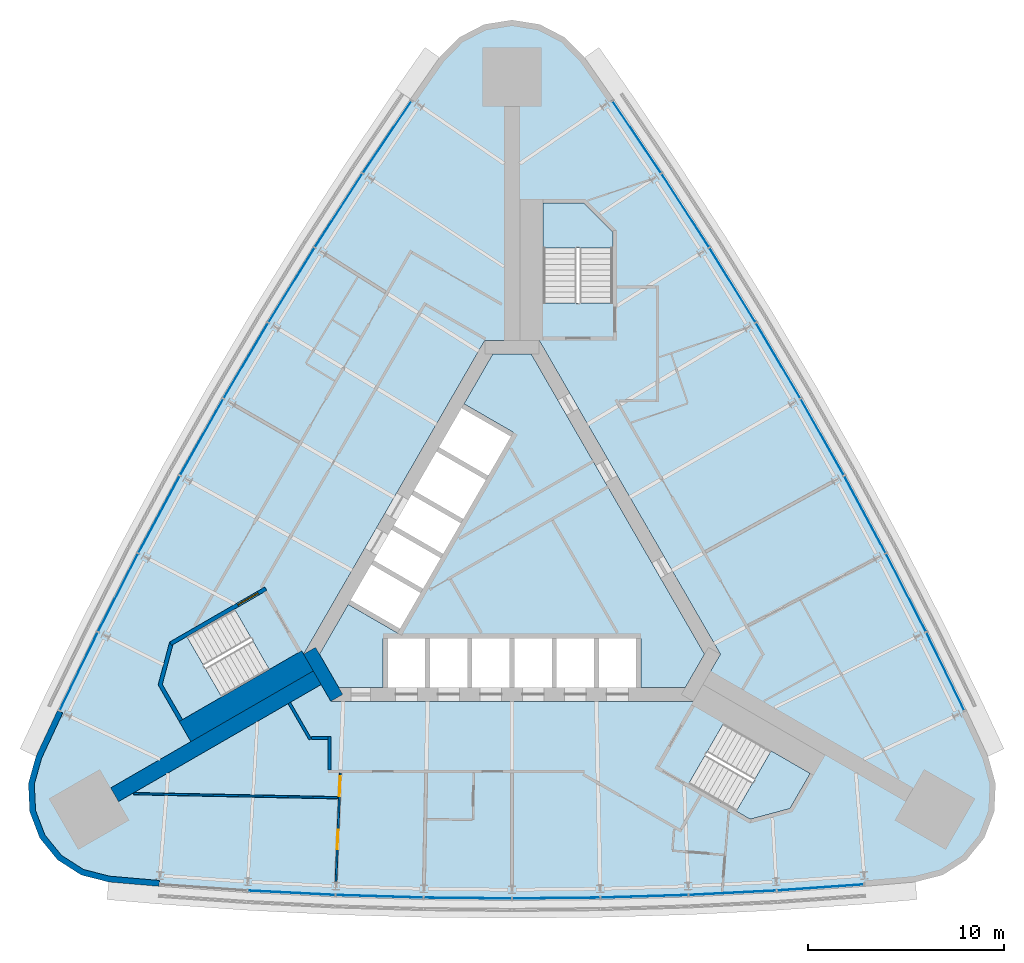
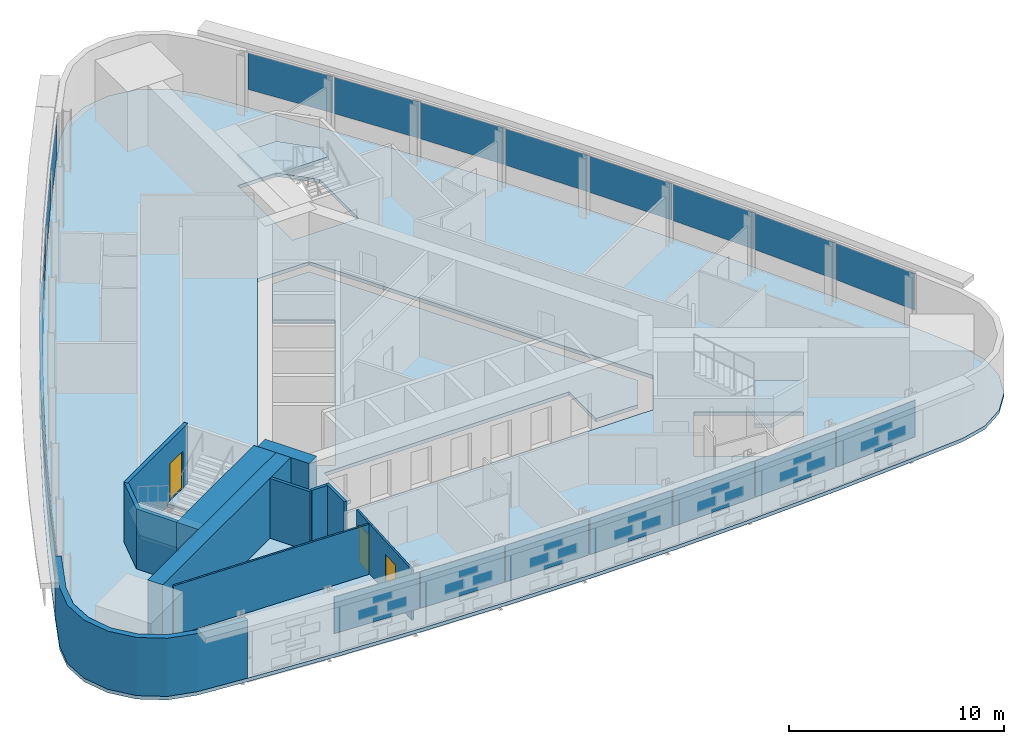
# One storey, part 6 of 11: 23 plates, 11 walls, 5 slabs, 3 doors, 3 openings, 6 elements without a shape of their own.
"""IFC4 building model written with IfcOpenShell, lengths in metres."""

from ifc_helpers import new_model, si_unit, direction, frame, frame_2d, origin, origin_2d, place, context, subcontext, project, spatial, polyline, rectangle, outline, extrude, material, layer, layer_set, type_object, element, fill, aggregate, save


model = new_model("IFC4")

# Units and contexts
model_context = context("Model", 3, precision=1e-05, world=origin(), true_north=direction((0.0, 1.0)))
body_context = subcontext(model_context, "Body", "Model", "MODEL_VIEW")
ifc_project = project(units=[si_unit("LENGTHUNIT", "METRE"), si_unit("AREAUNIT", "SQUARE_METRE"), si_unit("VOLUMEUNIT", "CUBIC_METRE"), si_unit("PLANEANGLEUNIT", "RADIAN"), si_unit("MASSUNIT", "GRAM", prefix="KILO")], contexts=[model_context])

# Site, building, storey
site_placement = place(None, origin())
site = spatial("IfcSite", under=ifc_project, at=site_placement, CompositionType="ELEMENT")
building_placement = place(site_placement, origin())
building = spatial("IfcBuilding", under=site, at=building_placement, Name="Noor Cloister Tower", CompositionType="ELEMENT")
storey_placement = place(building_placement, frame((0.0, 0.0, 113.10009765625)))
storey = spatial("IfcBuildingStorey", under=building, at=storey_placement, Name="L29", CompositionType="ELEMENT", Elevation=113.10009765625)

# Slabs
ifc_material_1 = material(Name="Concrete C40/50", Category="concrete")
ifc_layer_1 = layer(ifc_material_1, 0.199951171875)
ifc_layer_set_1 = layer_set([ifc_layer_1], Name="Core floor slab 200 C40/50")
slab_type_1 = type_object("IfcSlabType", Name="Core floor slab 200 C40/50", PredefinedType="FLOOR", material=ifc_layer_set_1)
slab_1_placement = place(storey_placement, frame((0.0, 0.0, -0.2001953125)))
element("IfcSlab", 1, at=slab_1_placement, inside=storey, type_object=slab_type_1, Name="Core floor L29", PredefinedType="FLOOR", context=body_context, shape_type="SweptSolid", body=[
    extrude(outline(polyline([(-6.574951171875, -6.228271484375), (-6.574951171875, -3.728271484375), (6.574951171875, -3.728271484375), (6.574951171875, -6.228271484375), (8.82470703125, -6.228271484375), (9.80615234375, -4.5283203125), (0.9814453125, 10.75634765625), (-0.9814453125, 10.75634765625), (-2.44384765625, 8.2236328125), (0.067626953125, 6.773681640625), (-5.832275390625, -3.4453125), (-8.34375, -1.995361328125), (-9.80615234375, -4.5283203125), (-8.82470703125, -6.228271484375), (-6.574951171875, -6.228271484375)])), origin(), (0.0, 0.0, 1.0), 0.2001953125),
])
ifc_material_2 = material(Name="Concrete C40/50", Category="concrete")
ifc_layer_2 = layer(ifc_material_2, 0.199951171875)
ifc_layer_set_2 = layer_set([ifc_layer_2], Name="Floor slab 200 C40/50")
slab_type_2 = type_object("IfcSlabType", Name="Floor slab 200 C40/50", PredefinedType="FLOOR", material=ifc_layer_set_2)
slab_2_placement = place(storey_placement, frame((0.0, 0.0, -0.2001953125)))
element("IfcSlab", 2, at=slab_2_placement, inside=storey, type_object=slab_type_2, Name="Floor slab L29", PredefinedType="FLOOR", context=body_context, shape_type="SweptSolid", body=[
    extrude(outline(polyline([(3.694091796875, 25.862548828125), (2.6904296875, 26.8876953125), (1.41650390625, 27.54736328125), (0.0, 27.774658203125), (-1.41650390625, 27.54736328125), (-2.6904296875, 26.8876953125), (-3.694091796875, 25.862548828125), (-5.1708984375, 23.747802734375), (-7.68896484375, 20.018310546875), (-10.131591796875, 16.239013671875), (-12.498046875, 12.41162109375), (-14.786865234375, 8.537353515625), (-16.99755859375, 4.617919921875), (-19.129150390625, 0.65478515625), (-21.180908203125, -3.350341796875), (-23.151611328125, -7.395751953125), (-24.24462890625, -9.732177734375), (-24.630615234375, -11.11376953125), (-24.56494140625, -12.546875), (-24.0537109375, -13.887451171875), (-23.1484375, -15.000244140625), (-21.940185546875, -15.77392578125), (-20.550537109375, -16.13037109375), (-17.980712890625, -16.35205078125), (-13.491943359375, -16.66796875), (-8.99755859375, -16.893798828125), (-4.499755859375, -17.029296875), (0.0, -17.074462890625), (4.499755859375, -17.029296875), (8.99755859375, -16.893798828125), (13.491943359375, -16.66796875), (17.980712890625, -16.35205078125), (20.550537109375, -16.13037109375), (21.940185546875, -15.77392578125), (23.1484375, -15.000244140625), (24.0537109375, -13.887451171875), (24.56494140625, -12.546875), (24.630615234375, -11.11376953125), (24.24462890625, -9.732177734375), (23.151611328125, -7.395751953125), (21.180908203125, -3.350341796875), (19.129150390625, 0.65478515625), (16.99755859375, 4.617919921875), (14.786865234375, 8.537353515625), (12.498046875, 12.41162109375), (10.131591796875, 16.239013671875), (7.68896484375, 20.018310546875), (5.1708984375, 23.747802734375), (3.694091796875, 25.862548828125)]), holes=[polyline([(8.999755859375, -11.126220703125), (12.131591796875, -12.934326171875), (14.1572265625, -12.3916015625), (15.19091796875, -10.601318359375), (10.774658203125, -8.0517578125), (8.999755859375, -11.126220703125)]), polyline([(-17.81005859375, -6.064697265625), (-16.776611328125, -7.85498046875), (-12.3603515625, -5.305419921875), (-14.13525390625, -2.23095703125), (-16.662841796875, -3.690185546875), (-17.267333984375, -4.039306640625), (-17.81005859375, -6.064697265625)]), polyline([(-10.6142578125, -4.5283203125), (-9.228759765625, -6.92822265625), (9.228759765625, -6.92822265625), (10.6142578125, -4.5283203125), (1.3857421875, 11.456298828125), (-1.3857421875, 11.456298828125), (-10.6142578125, -4.5283203125)]), polyline([(3.65283203125, 18.456298828125), (1.585693359375, 18.456298828125), (1.585693359375, 13.35693359375), (5.135498046875, 13.35693359375), (5.135498046875, 16.9736328125), (3.65283203125, 18.456298828125)])]), origin(), (0.0, 0.0, 1.0), 0.2001953125),
])

# Curtain wall, plates
ifc_material_3 = material(Name="Aluminium 6063-T6 anodised", Category="aluminium")
curtain_wall_type = type_object("IfcCurtainWallType", Name="Ribbon curtain wall, lower tower CW1", PredefinedType="NOTDEFINED", material=ifc_material_3)
curtain_wall_1_placement = place(storey_placement, origin())
curtain_wall_1 = element("IfcCurtainWall", 3, at=curtain_wall_1_placement, inside=storey, type_object=curtain_wall_type, Name="CW1 L29 NW run 1", PredefinedType="NOTDEFINED")
ifc_material_4 = material(Name="Clear laminated glass 2 x 8 mm", Category="glass")
ifc_layer_3 = layer(ifc_material_4, 0.028076171875)
ifc_layer_set_3 = layer_set([ifc_layer_3], Name="Glass panel CW1")
plate_type = type_object("IfcPlateType", Name="Glass panel CW1", PredefinedType="CURTAIN_PANEL", material=ifc_layer_set_3)
plate_1_placement = place(storey_placement, frame((-6.35791015625, 21.810791015625, 1.08984375), z_axis=(0.0, 0.0, 1.0), x_axis=(-0.559576269216, -0.828778860089, 0.0)))
plate_1 = element("IfcPlate", 4, at=plate_1_placement, type_object=plate_type, Name="CW1 glass panel 1", PredefinedType="CURTAIN_PANEL", context=body_context, shape_type="SweptSolid", body=[
    extrude(rectangle(XDim=4.39892578125, YDim=0.028076171875, at=origin_2d()), origin(), (0.0, 0.0, 1.0), 2.070068359375),
])
plate_2_placement = place(storey_placement, frame((-8.826416015625, 18.074462890625, 1.08984375), z_axis=(0.0, 0.0, 1.0), x_axis=(-0.542823743887, -0.839846642592, 0.0)))
plate_2 = element("IfcPlate", 5, at=plate_2_placement, type_object=plate_type, Name="CW1 glass panel 2", PredefinedType="CURTAIN_PANEL", context=body_context, shape_type="SweptSolid", body=[
    extrude(rectangle(XDim=4.43798828125, YDim=0.028076171875, at=origin_2d()), origin(), (0.0, 0.0, 1.0), 2.070068359375),
])
plate_3_placement = place(storey_placement, frame((-11.229736328125, 14.272705078125, 1.08984375), z_axis=(0.0, 0.0, 1.0), x_axis=(-0.525852368166, -0.85057585605, 0.0)))
plate_3 = element("IfcPlate", 6, at=plate_3_placement, type_object=plate_type, Name="CW1 glass panel 3", PredefinedType="CURTAIN_PANEL", context=body_context, shape_type="SweptSolid", body=[
    extrude(rectangle(XDim=4.43798828125, YDim=0.028076171875, at=origin_2d()), origin(), (0.0, 0.0, 1.0), 2.070068359375),
])
plate_4_placement = place(storey_placement, frame((-13.556396484375, 10.423583984375, 1.08984375), z_axis=(0.0, 0.0, 1.0), x_axis=(-0.508669013447, -0.860962156404, 0.0)))
plate_4 = element("IfcPlate", 7, at=plate_4_placement, type_object=plate_type, Name="CW1 glass panel 4", PredefinedType="CURTAIN_PANEL", context=body_context, shape_type="SweptSolid", body=[
    extrude(rectangle(XDim=4.43798828125, YDim=0.028076171875, at=origin_2d()), origin(), (0.0, 0.0, 1.0), 2.070068359375),
])
plate_5_placement = place(storey_placement, frame((-15.80517578125, 6.5283203125, 1.08984375), z_axis=(0.0, 0.0, 1.0), x_axis=(-0.491280592419, -0.871001365965, 0.0)))
plate_5 = element("IfcPlate", 8, at=plate_5_placement, type_object=plate_type, Name="CW1 glass panel 5", PredefinedType="CURTAIN_PANEL", context=body_context, shape_type="SweptSolid", body=[
    extrude(rectangle(XDim=4.43798828125, YDim=0.028076171875, at=origin_2d()), origin(), (0.0, 0.0, 1.0), 2.070068359375),
])
plate_6_placement = place(storey_placement, frame((-17.975341796875, 2.5888671875, 1.08984375), z_axis=(0.0, 0.0, 1.0), x_axis=(-0.473694115102, -0.880689437497, 0.0)))
plate_6 = element("IfcPlate", 9, at=plate_6_placement, type_object=plate_type, Name="CW1 glass panel 6", PredefinedType="CURTAIN_PANEL", context=body_context, shape_type="SweptSolid", body=[
    extrude(rectangle(XDim=4.43798828125, YDim=0.028076171875, at=origin_2d()), origin(), (0.0, 0.0, 1.0), 2.070068359375),
])
plate_7_placement = place(storey_placement, frame((-20.066162109375, -1.393310546875, 1.08984375), z_axis=(0.0, 0.0, 1.0), x_axis=(-0.455916655824, -0.890022473279, 0.0)))
plate_7 = element("IfcPlate", 10, at=plate_7_placement, type_object=plate_type, Name="CW1 glass panel 7", PredefinedType="CURTAIN_PANEL", context=body_context, shape_type="SweptSolid", body=[
    extrude(rectangle(XDim=4.43798828125, YDim=0.028076171875, at=origin_2d()), origin(), (0.0, 0.0, 1.0), 2.070068359375),
])
plate_8_placement = place(storey_placement, frame((-22.06787109375, -5.399169921875, 1.08984375), z_axis=(0.0, 0.0, 1.0), x_axis=(-0.437955412348, -0.89899669454, 0.0)))
plate_8 = element("IfcPlate", 11, at=plate_8_placement, type_object=plate_type, Name="CW1 glass panel 8", PredefinedType="CURTAIN_PANEL", context=body_context, shape_type="SweptSolid", body=[
    extrude(rectangle(XDim=4.39892578125, YDim=0.028076171875, at=origin_2d()), origin(), (0.0, 0.0, 1.0), 2.070068359375),
])
aggregate(curtain_wall_1, [plate_1, plate_2, plate_3, plate_4, plate_5, plate_6, plate_7, plate_8])

curtain_wall_2_placement = place(storey_placement, origin())
curtain_wall_2 = element("IfcCurtainWall", 12, at=curtain_wall_2_placement, inside=storey, type_object=curtain_wall_type, Name="CW1 L29 S run 2", PredefinedType="NOTDEFINED")
plate_9_placement = place(storey_placement, frame((-11.23974609375, -16.68115234375, 1.08984375), z_axis=(0.0, 0.0, 1.0), x_axis=(0.998740399711, -0.050175830687, 0.0)))
plate_9 = element("IfcPlate", 13, at=plate_9_placement, type_object=plate_type, Name="CW1 glass panel 2", PredefinedType="CURTAIN_PANEL", context=body_context, shape_type="SweptSolid", body=[
    extrude(rectangle(XDim=4.43798828125, YDim=0.028076171875, at=origin_2d()), origin(), (0.0, 0.0, 1.0), 2.070068359375),
])
plate_10_placement = place(storey_placement, frame((-6.74560546875, -16.861572265625, 1.08984375), z_axis=(0.0, 0.0, 1.0), x_axis=(0.999546483268, -0.030113581447, 0.0)))
plate_10 = element("IfcPlate", 14, at=plate_10_placement, type_object=plate_type, Name="CW1 glass panel 3", PredefinedType="CURTAIN_PANEL", context=body_context, shape_type="SweptSolid", body=[
    extrude(rectangle(XDim=4.43798828125, YDim=0.028076171875, at=origin_2d()), origin(), (0.0, 0.0, 1.0), 2.070068359375),
])
plate_11_placement = place(storey_placement, frame((-2.248779296875, -16.951904296875, 1.08984375), z_axis=(0.0, 0.0, 1.0), x_axis=(0.999949605866, -0.010039209561, 0.0)))
plate_11 = element("IfcPlate", 15, at=plate_11_placement, type_object=plate_type, Name="CW1 glass panel 4", PredefinedType="CURTAIN_PANEL", context=body_context, shape_type="SweptSolid", body=[
    extrude(rectangle(XDim=4.43798828125, YDim=0.028076171875, at=origin_2d()), origin(), (0.0, 0.0, 1.0), 2.070068359375),
])
plate_12_placement = place(storey_placement, frame((2.248779296875, -16.951904296875, 1.08984375), z_axis=(0.0, 0.0, 1.0), x_axis=(0.999949605866, 0.010039209561, 0.0)))
plate_12 = element("IfcPlate", 16, at=plate_12_placement, type_object=plate_type, Name="CW1 glass panel 5", PredefinedType="CURTAIN_PANEL", context=body_context, shape_type="SweptSolid", body=[
    extrude(rectangle(XDim=4.43798828125, YDim=0.028076171875, at=origin_2d()), origin(), (0.0, 0.0, 1.0), 2.070068359375),
])
plate_13_placement = place(storey_placement, frame((6.74560546875, -16.861572265625, 1.08984375), z_axis=(0.0, 0.0, 1.0), x_axis=(0.999546483268, 0.030113581447, 0.0)))
plate_13 = element("IfcPlate", 17, at=plate_13_placement, type_object=plate_type, Name="CW1 glass panel 6", PredefinedType="CURTAIN_PANEL", context=body_context, shape_type="SweptSolid", body=[
    extrude(rectangle(XDim=4.43798828125, YDim=0.028076171875, at=origin_2d()), origin(), (0.0, 0.0, 1.0), 2.070068359375),
])
plate_14_placement = place(storey_placement, frame((11.23974609375, -16.68115234375, 1.08984375), z_axis=(0.0, 0.0, 1.0), x_axis=(0.998740399711, 0.050175830687, 0.0)))
plate_14 = element("IfcPlate", 18, at=plate_14_placement, type_object=plate_type, Name="CW1 glass panel 7", PredefinedType="CURTAIN_PANEL", context=body_context, shape_type="SweptSolid", body=[
    extrude(rectangle(XDim=4.43798828125, YDim=0.028076171875, at=origin_2d()), origin(), (0.0, 0.0, 1.0), 2.070068359375),
])
plate_15_placement = place(storey_placement, frame((15.709716796875, -16.41162109375, 1.08984375), z_axis=(0.0, 0.0, 1.0), x_axis=(0.997531681565, 0.070217834452, 0.0)))
plate_15 = element("IfcPlate", 19, at=plate_15_placement, type_object=plate_type, Name="CW1 glass panel 8", PredefinedType="CURTAIN_PANEL", context=body_context, shape_type="SweptSolid", body=[
    extrude(rectangle(XDim=4.39892578125, YDim=0.028076171875, at=origin_2d()), origin(), (0.0, 0.0, 1.0), 2.070068359375),
])
aggregate(curtain_wall_2, [plate_9, plate_10, plate_11, plate_12, plate_13, plate_14, plate_15])

curtain_wall_3_placement = place(storey_placement, origin())
curtain_wall_3 = element("IfcCurtainWall", 20, at=curtain_wall_3_placement, inside=storey, type_object=curtain_wall_type, Name="CW1 L29 NE run 3", PredefinedType="NOTDEFINED")
plate_16_placement = place(storey_placement, frame((22.06787109375, -5.399169921875, 1.08984375), z_axis=(0.0, 0.0, 1.0), x_axis=(-0.437955412348, 0.89899669454, 0.0)))
plate_16 = element("IfcPlate", 21, at=plate_16_placement, type_object=plate_type, Name="CW1 glass panel 1", PredefinedType="CURTAIN_PANEL", context=body_context, shape_type="SweptSolid", body=[
    extrude(rectangle(XDim=4.39892578125, YDim=0.028076171875, at=origin_2d()), origin(), (0.0, 0.0, 1.0), 2.070068359375),
])
plate_17_placement = place(storey_placement, frame((20.066162109375, -1.393310546875, 1.08984375), z_axis=(0.0, 0.0, 1.0), x_axis=(-0.455916655824, 0.890022473279, 0.0)))
plate_17 = element("IfcPlate", 22, at=plate_17_placement, type_object=plate_type, Name="CW1 glass panel 2", PredefinedType="CURTAIN_PANEL", context=body_context, shape_type="SweptSolid", body=[
    extrude(rectangle(XDim=4.43798828125, YDim=0.028076171875, at=origin_2d()), origin(), (0.0, 0.0, 1.0), 2.070068359375),
])
plate_18_placement = place(storey_placement, frame((17.975341796875, 2.5888671875, 1.08984375), z_axis=(0.0, 0.0, 1.0), x_axis=(-0.473694115102, 0.880689437497, 0.0)))
plate_18 = element("IfcPlate", 23, at=plate_18_placement, type_object=plate_type, Name="CW1 glass panel 3", PredefinedType="CURTAIN_PANEL", context=body_context, shape_type="SweptSolid", body=[
    extrude(rectangle(XDim=4.43798828125, YDim=0.028076171875, at=origin_2d()), origin(), (0.0, 0.0, 1.0), 2.070068359375),
])
plate_19_placement = place(storey_placement, frame((15.80517578125, 6.5283203125, 1.08984375), z_axis=(0.0, 0.0, 1.0), x_axis=(-0.491280592419, 0.871001365965, 0.0)))
plate_19 = element("IfcPlate", 24, at=plate_19_placement, type_object=plate_type, Name="CW1 glass panel 4", PredefinedType="CURTAIN_PANEL", context=body_context, shape_type="SweptSolid", body=[
    extrude(rectangle(XDim=4.43798828125, YDim=0.028076171875, at=origin_2d()), origin(), (0.0, 0.0, 1.0), 2.070068359375),
])
plate_20_placement = place(storey_placement, frame((13.556396484375, 10.423583984375, 1.08984375), z_axis=(0.0, 0.0, 1.0), x_axis=(-0.508669013447, 0.860962156404, 0.0)))
plate_20 = element("IfcPlate", 25, at=plate_20_placement, type_object=plate_type, Name="CW1 glass panel 5", PredefinedType="CURTAIN_PANEL", context=body_context, shape_type="SweptSolid", body=[
    extrude(rectangle(XDim=4.43798828125, YDim=0.028076171875, at=origin_2d()), origin(), (0.0, 0.0, 1.0), 2.070068359375),
])
plate_21_placement = place(storey_placement, frame((11.229736328125, 14.272705078125, 1.08984375), z_axis=(0.0, 0.0, 1.0), x_axis=(-0.525852368166, 0.85057585605, 0.0)))
plate_21 = element("IfcPlate", 26, at=plate_21_placement, type_object=plate_type, Name="CW1 glass panel 6", PredefinedType="CURTAIN_PANEL", context=body_context, shape_type="SweptSolid", body=[
    extrude(rectangle(XDim=4.43798828125, YDim=0.028076171875, at=origin_2d()), origin(), (0.0, 0.0, 1.0), 2.070068359375),
])
plate_22_placement = place(storey_placement, frame((8.826416015625, 18.074462890625, 1.08984375), z_axis=(0.0, 0.0, 1.0), x_axis=(-0.542823743887, 0.839846642592, 0.0)))
plate_22 = element("IfcPlate", 27, at=plate_22_placement, type_object=plate_type, Name="CW1 glass panel 7", PredefinedType="CURTAIN_PANEL", context=body_context, shape_type="SweptSolid", body=[
    extrude(rectangle(XDim=4.43798828125, YDim=0.028076171875, at=origin_2d()), origin(), (0.0, 0.0, 1.0), 2.070068359375),
])
plate_23_placement = place(storey_placement, frame((6.35791015625, 21.810791015625, 1.08984375), z_axis=(0.0, 0.0, 1.0), x_axis=(-0.559576269216, 0.828778860089, 0.0)))
plate_23 = element("IfcPlate", 28, at=plate_23_placement, type_object=plate_type, Name="CW1 glass panel 8", PredefinedType="CURTAIN_PANEL", context=body_context, shape_type="SweptSolid", body=[
    extrude(rectangle(XDim=4.39892578125, YDim=0.028076171875, at=origin_2d()), origin(), (0.0, 0.0, 1.0), 2.070068359375),
])
aggregate(curtain_wall_3, [plate_16, plate_17, plate_18, plate_19, plate_20, plate_21, plate_22, plate_23])

# Stair, slab
ifc_material_5 = material(Name="Concrete C40/50", Category="concrete")
stair_type = type_object("IfcStairType", Name="Exit stair 22 risers", PredefinedType="HALF_TURN_STAIR", material=ifc_material_5)
stair_1_placement = place(storey_placement, origin())
stair_1 = element("IfcStair", 29, at=stair_1_placement, inside=storey, type_object=stair_type, Name="Exit stair ST1 L29", PredefinedType="HALF_TURN_STAIR")
ifc_material_6 = material(Name="Concrete C40/50", Category="concrete")
ifc_layer_4 = layer(ifc_material_6, 0.199951171875)
ifc_layer_set_4 = layer_set([ifc_layer_4], Name="Stair landing 200 C40/50")
slab_type_3 = type_object("IfcSlabType", Name="Stair landing 200 C40/50", PredefinedType="LANDING", material=ifc_layer_set_4)
slab_3_placement = place(storey_placement, frame((0.0, 0.0, 1.599853515625)))
slab_3 = element("IfcSlab", 30, at=slab_3_placement, type_object=slab_type_3, Name="ST1 landing 1", PredefinedType="LANDING", context=body_context, shape_type="SweptSolid", body=[
    extrude(outline(polyline([(5.135498046875, 16.15576171875), (5.135498046875, 16.9736328125), (3.65283203125, 18.456298828125), (1.585693359375, 18.456298828125), (1.585693359375, 16.15576171875), (5.135498046875, 16.15576171875)])), origin(), (0.0, 0.0, 1.0), 0.199951171875),
])
aggregate(stair_1, [slab_3])

stair_2_placement = place(storey_placement, origin())
stair_2 = element("IfcStair", 31, at=stair_2_placement, inside=storey, type_object=stair_type, Name="Exit stair ST2 L29", PredefinedType="HALF_TURN_STAIR")
slab_4_placement = place(storey_placement, frame((0.0, 0.0, 1.599853515625)))
slab_4 = element("IfcSlab", 32, at=slab_4_placement, type_object=slab_type_3, Name="ST2 landing 1", PredefinedType="LANDING", context=body_context, shape_type="SweptSolid", body=[
    extrude(outline(polyline([(-16.55908203125, -3.63037109375), (-17.267333984375, -4.039306640625), (-17.81005859375, -6.064697265625), (-16.776611328125, -7.85498046875), (-14.7841796875, -6.70458984375), (-16.55908203125, -3.63037109375)])), origin(), (0.0, 0.0, 1.0), 0.199951171875),
])
aggregate(stair_2, [slab_4])

stair_3_placement = place(storey_placement, origin())
stair_3 = element("IfcStair", 33, at=stair_3_placement, inside=storey, type_object=stair_type, Name="Exit stair ST3 L29", PredefinedType="HALF_TURN_STAIR")
slab_5_placement = place(storey_placement, frame((0.0, 0.0, 1.599853515625)))
slab_5 = element("IfcSlab", 34, at=slab_5_placement, type_object=slab_type_3, Name="ST3 landing 1", PredefinedType="LANDING", context=body_context, shape_type="SweptSolid", body=[
    extrude(outline(polyline([(11.423583984375, -12.525390625), (12.131591796875, -12.934326171875), (14.1572265625, -12.3916015625), (15.19091796875, -10.601318359375), (13.198486328125, -9.451171875), (11.423583984375, -12.525390625)])), origin(), (0.0, 0.0, 1.0), 0.199951171875),
])
aggregate(stair_3, [slab_5])

# Walls
ifc_material_7 = material(Name="Concrete C80/95", Category="concrete")
ifc_layer_5 = layer(ifc_material_7, 0.800048828125)
ifc_layer_set_5 = layer_set([ifc_layer_5], Name="Buttress wall 800 C80/95")
wall_type_1 = type_object("IfcWallType", Name="Buttress wall 800 C80/95", PredefinedType="SHEAR", material=ifc_layer_set_5)
wall_1_placement = place(storey_placement, frame((-9.921630859375, -5.728271484375, -0.2001953125), z_axis=(0.0, 0.0, 1.0), x_axis=(-0.866027307971, -0.499996701837, 0.0)))
element("IfcWall", 35, at=wall_1_placement, inside=storey, type_object=wall_type_1, Name="Buttress wall SW L29", PredefinedType="SHEAR", context=body_context, shape_type="SweptSolid", body=[
    extrude(rectangle(XDim=11.91845703125, YDim=0.800048828125, at=frame_2d((5.959228515625, 0.0))), origin(), (0.0, 0.0, 1.0), 3.60009765625),
])
ifc_material_8 = material(Name="Concrete C80/95", Category="concrete")
ifc_layer_6 = layer(ifc_material_8, 0.699951171875)
ifc_layer_set_6 = layer_set([ifc_layer_6], Name="Core wall 700 C80/95")
wall_type_2 = type_object("IfcWallType", Name="Core wall 700 C80/95", PredefinedType="SHEAR", material=ifc_layer_set_6)
wall_2_placement = place(storey_placement, frame((-10.311279296875, -4.353271484375, -0.2001953125), z_axis=(0.0, 0.0, 1.0), x_axis=(0.500042739161, -0.866000726912, 0.0)))
element("IfcWall", 36, at=wall_2_placement, inside=storey, type_object=wall_type_2, Name="Core wall L29 6", PredefinedType="SHEAR", context=body_context, shape_type="SweptSolid", body=[
    extrude(rectangle(XDim=2.771240234375, YDim=0.699951171875, at=frame_2d((1.3857421875, 0.0))), origin(), (0.0, 0.0, 1.0), 3.60009765625),
])
ifc_material_9 = material(Name="Gypsum board partition on steel studs, 150 mm", Category="steel")
ifc_layer_7 = layer(ifc_material_9, 0.14990234375)
ifc_layer_set_7 = layer_set([ifc_layer_7], Name="Flat wall 150")
wall_type_3 = type_object("IfcWallType", Name="Flat wall 150", PredefinedType="PARTITIONING", material=ifc_layer_set_7)
wall_3_placement = place(storey_placement, frame((-11.34521484375, -7.01220703125, 0.0), z_axis=(0.0, 0.0, 1.0), x_axis=(0.499998569178, -0.866026229868, 0.0)))
element("IfcWall", 37, at=wall_3_placement, inside=storey, type_object=wall_type_3, Name="Flat wall 150 L29 011", PredefinedType="PARTITIONING", context=body_context, shape_type="SweptSolid", body=[
    extrude(rectangle(XDim=2.14306640625, YDim=0.14990234375, at=frame_2d((1.071533203125, 0.0))), origin(), (0.0, 0.0, 1.0), 3.39990234375),
])
wall_4_placement = place(storey_placement, frame((-9.3037109375, -10.42822265625, 0.0), z_axis=(0.0, 0.0, 1.0), x_axis=(0.0, 1.0, 0.0)))
element("IfcWall", 38, at=wall_4_placement, inside=storey, type_object=wall_type_3, Name="Flat wall 150 L29 014", PredefinedType="PARTITIONING", context=body_context, shape_type="SweptSolid", body=[
    extrude(rectangle(XDim=1.699951171875, YDim=0.14990234375, at=frame_2d((0.85009765625, 0.0))), origin(), (0.0, 0.0, 1.0), 3.39990234375),
])
wall_5_placement = place(storey_placement, frame((-10.208740234375, -8.80322265625, 0.0), z_axis=(0.0, 0.0, 1.0), x_axis=(1.0, 0.0, 0.0)))
element("IfcWall", 39, at=wall_5_placement, inside=storey, type_object=wall_type_3, Name="Flat wall 150 L29 015", PredefinedType="PARTITIONING", context=body_context, shape_type="SweptSolid", body=[
    extrude(rectangle(XDim=0.830078125, YDim=0.14990234375, at=frame_2d((0.4150390625, 0.0))), origin(), (0.0, 0.0, 1.0), 3.39990234375),
])
ifc_material_10 = material(Name="Limestone", Category="masonry")
ifc_layer_8 = layer(ifc_material_10, 0.300048828125)
ifc_layer_set_8 = layer_set([ifc_layer_8], Name="Limestone cladding 300")
wall_type_4 = type_object("IfcWallType", Name="Limestone cladding 300", PredefinedType="NOTDEFINED", material=ifc_layer_set_8)
wall_6_placement = place(storey_placement, origin())
element("IfcWall", 40, at=wall_6_placement, inside=storey, type_object=wall_type_4, Name="Limestone pier cladding L29 1.1", PredefinedType="NOTDEFINED", context=body_context, shape_type="SweptSolid", body=[
    extrude(outline(polyline([(-23.151611328125, -7.395751953125), (-24.24462890625, -9.732177734375), (-24.630615234375, -11.11376953125), (-24.56494140625, -12.546875), (-24.0537109375, -13.887451171875), (-23.1484375, -15.000244140625), (-21.940185546875, -15.77392578125), (-20.550537109375, -16.13037109375), (-17.980712890625, -16.35205078125), (-17.954833984375, -16.05322265625), (-20.5, -15.83349609375), (-21.819091796875, -15.495361328125), (-22.946044921875, -14.773681640625), (-23.79052734375, -13.7353515625), (-24.267333984375, -12.485107421875), (-24.328857421875, -11.148193359375), (-23.96240234375, -9.8369140625), (-22.8798828125, -7.522705078125), (-23.151611328125, -7.395751953125)])), origin(), (0.0, 0.0, 1.0), 3.2998046875),
])
ifc_material_11 = material(Name="Gypsum board partition on steel studs, 100 mm", Category="steel")
ifc_layer_9 = layer(ifc_material_11, 0.10009765625)
ifc_layer_set_9 = layer_set([ifc_layer_9], Name="Partition 100")
wall_type_5 = type_object("IfcWallType", Name="Partition 100", PredefinedType="PARTITIONING", material=ifc_layer_set_9)
wall_7_placement = place(storey_placement, frame((-8.885009765625, -11.83935546875, 0.0), z_axis=(0.0, 0.0, 1.0), x_axis=(-0.999798608679, 0.020068434987, 0.0)))
element("IfcWall", 41, at=wall_7_placement, inside=storey, type_object=wall_type_5, Name="Partition 100 L29 022", PredefinedType="PARTITIONING", context=body_context, shape_type="SweptSolid", body=[
    extrude(rectangle(XDim=10.377197265625, YDim=0.10009765625, at=frame_2d((5.1884765625, 0.0))), origin(), (0.0, 0.0, 1.0), 2.846923828125),
])

# Wall, openings, doors
wall_8_placement = place(storey_placement, frame((-8.965576171875, -16.094482421875, 0.0), z_axis=(0.0, 0.0, 1.0), x_axis=(0.040167671745, 0.999192953411, 0.0)))
wall_8 = element("IfcWall", 42, at=wall_8_placement, inside=storey, type_object=wall_type_5, Name="Partition 100 L29 024", PredefinedType="PARTITIONING", context=body_context, shape_type="SweptSolid", body=[
    extrude(rectangle(XDim=5.518798828125, YDim=0.10009765625, at=frame_2d((2.75927734375, 0.0))), origin(), (0.0, 0.0, 1.0), 2.846923828125),
])
opening_1_placement = place(wall_8_placement, frame((4.34521484375, 0.0, 0.0)))
opening_1 = element("IfcOpeningElement", 43, at=opening_1_placement, cuts=wall_8, Name="Opening L29-015", PredefinedType="OPENING", context=body_context, shape_type="SweptSolid", body=[
    extrude(rectangle(XDim=1.0, YDim=2.10009765625, at=frame_2d((0.5, 1.050048828125))), frame((0.0, 0.06005859375, 0.0), z_axis=(0.0, -1.0, 0.0), x_axis=(1.0, 0.0, 0.0)), (0.0, 0.0, 1.0), 0.1201171875),
])
opening_2_placement = place(wall_8_placement, frame((1.634033203125, 0.0, 0.0)))
opening_2 = element("IfcOpeningElement", 44, at=opening_2_placement, cuts=wall_8, Name="Opening L29-016", PredefinedType="OPENING", context=body_context, shape_type="SweptSolid", body=[
    extrude(rectangle(XDim=1.0, YDim=2.10009765625, at=frame_2d((0.5, 1.050048828125))), frame((0.0, 0.06005859375, 0.0), z_axis=(0.0, -1.0, 0.0), x_axis=(1.0, 0.0, 0.0)), (0.0, 0.0, 1.0), 0.1201171875),
])
ifc_material_12 = material(Name="Timber door leaf with steel frame", Category="steel")
door_type_1 = type_object("IfcDoorType", Name="Interior door 1000", OperationType="NOTDEFINED", PredefinedType="DOOR", material=ifc_material_12)
door_1_placement = place(opening_1_placement, origin())
door_1 = element("IfcDoor", 45, at=door_1_placement, inside=storey, type_object=door_type_1, Name="Interior door 1000 L29-015", OperationType="SINGLE_SWING_RIGHT", OverallHeight=2.10009765625, OverallWidth=1.0, PredefinedType="DOOR", context=body_context, shape_type="SweptSolid", body=[
    extrude(rectangle(XDim=1.0, YDim=2.10009765625, at=frame_2d((0.5, 1.050048828125))), frame((0.0, 0.02490234375, 0.0), z_axis=(0.0, -1.0, 0.0), x_axis=(1.0, 0.0, 0.0)), (0.0, 0.0, 1.0), 0.050048828125),
])
fill(opening_1, door_1)
door_2_placement = place(opening_2_placement, origin())
door_2 = element("IfcDoor", 46, at=door_2_placement, inside=storey, type_object=door_type_1, Name="Interior door 1000 L29-016", OperationType="SINGLE_SWING_LEFT", OverallHeight=2.10009765625, OverallWidth=1.0, PredefinedType="DOOR", context=body_context, shape_type="SweptSolid", body=[
    extrude(rectangle(XDim=1.0, YDim=2.10009765625, at=frame_2d((0.5, 1.050048828125))), frame((0.0, 0.02490234375, 0.0), z_axis=(0.0, -1.0, 0.0), x_axis=(1.0, 0.0, 0.0)), (0.0, 0.0, 1.0), 0.050048828125),
])
fill(opening_2, door_2)

# Wall
ifc_material_13 = material(Name="Concrete C80/95", Category="concrete")
ifc_layer_10 = layer(ifc_material_13, 1.18603515625)
ifc_layer_set_10 = layer_set([ifc_layer_10], Name="Stair enclosure wall 1186 C80/95")
wall_type_6 = type_object("IfcWallType", Name="Stair enclosure wall 1186 C80/95", PredefinedType="SHEAR", material=ifc_layer_set_10)
wall_9_placement = place(storey_placement, frame((-10.41796875, -4.868408203125, -0.2001953125), z_axis=(0.0, 0.0, 1.0), x_axis=(-0.866018442252, -0.500012057535, 0.0)))
element("IfcWall", 47, at=wall_9_placement, inside=storey, type_object=wall_type_6, Name="Stair enclosure wall ST2 L29 riser side", PredefinedType="SHEAR", context=body_context, shape_type="SweptSolid", body=[
    extrude(rectangle(XDim=7.199951171875, YDim=1.185546875, at=frame_2d((3.60009765625, 0.0))), origin(), (0.0, 0.0, 1.0), 3.60009765625),
])

# Wall, opening, door
ifc_material_14 = material(Name="Concrete C80/95", Category="concrete")
ifc_layer_11 = layer(ifc_material_14, 0.199951171875)
ifc_layer_set_11 = layer_set([ifc_layer_11], Name="Stair enclosure wall 200 C80/95")
wall_type_7 = type_object("IfcWallType", Name="Stair enclosure wall 200 C80/95", PredefinedType="SHEAR", material=ifc_layer_set_11)
wall_10_placement = place(storey_placement, frame((-12.539306640625, -1.194091796875, -0.2001953125), z_axis=(0.0, 0.0, 1.0), x_axis=(-0.866045472092, -0.499965239061, 0.0)))
wall_10 = element("IfcWall", 48, at=wall_10_placement, inside=storey, type_object=wall_type_7, Name="Stair enclosure wall ST2 L29 outer side", PredefinedType="SHEAR", context=body_context, shape_type="SweptSolid", body=[
    extrude(rectangle(XDim=5.60009765625, YDim=0.199951171875, at=frame_2d((2.800048828125, 0.0))), origin(), (0.0, 0.0, 1.0), 3.60009765625),
])
opening_3_placement = place(wall_10_placement, frame((0.449951171875, 0.0, 0.199951171875)))
opening_3 = element("IfcOpeningElement", 49, at=opening_3_placement, cuts=wall_10, Name="Opening L29-ST2C", PredefinedType="OPENING", context=body_context, shape_type="SweptSolid", body=[
    extrude(rectangle(XDim=1.199951171875, YDim=2.10009765625, at=frame_2d((0.60009765625, 1.050048828125))), frame((0.0, 0.10986328125, 0.0), z_axis=(0.0, -1.0, 0.0), x_axis=(1.0, 0.0, 0.0)), (0.0, 0.0, 1.0), 0.219970703125),
])
ifc_material_15 = material(Name="Steel", Category="steel")
door_type_2 = type_object("IfcDoorType", Name="Stair door 1200 x 2100 FD120", OperationType="SINGLE_SWING_LEFT", PredefinedType="DOOR", material=ifc_material_15)
door_3_placement = place(opening_3_placement, origin())
door_3 = element("IfcDoor", 50, at=door_3_placement, inside=storey, type_object=door_type_2, Name="Stair door ST2 L29", OperationType="SINGLE_SWING_LEFT", OverallHeight=2.10009765625, OverallWidth=1.199951171875, PredefinedType="DOOR", context=body_context, shape_type="SweptSolid", body=[
    extrude(rectangle(XDim=1.199951171875, YDim=2.10009765625, at=frame_2d((0.60009765625, 1.050048828125))), frame((0.0, 0.02490234375, 0.0), z_axis=(0.0, -1.0, 0.0), x_axis=(1.0, 0.0, 0.0)), (0.0, 0.0, 1.0), 0.050048828125),
])
fill(opening_3, door_3)

# Wall
ifc_material_16 = material(Name="Concrete C80/95", Category="concrete")
wall_type_8 = type_object("IfcWallType", Name="Stair far end wall C80/95", PredefinedType="SHEAR", material=ifc_material_16)
wall_11_placement = place(storey_placement, frame((0.0, 0.0, -0.2001953125)))
element("IfcWall", 51, at=wall_11_placement, inside=storey, type_object=wall_type_8, Name="Stair enclosure wall ST2 L29 far end", PredefinedType="SHEAR", context=body_context, shape_type="SweptSolid", body=[
    extrude(outline(polyline([(-17.439208984375, -3.907470703125), (-18.024658203125, -6.093017578125), (-16.94970703125, -7.955078125), (-16.776611328125, -7.85498046875), (-17.81005859375, -6.064697265625), (-17.267333984375, -4.039306640625), (-17.339111328125, -4.08056640625), (-17.339111328125, -4.08056640625), (-17.339111328125, -4.08056640625), (-17.339111328125, -4.08056640625), (-17.339111328125, -4.08056640625), (-17.339111328125, -4.08056640625), (-17.339111328125, -4.08056640625), (-17.339111328125, -4.08056640625), (-17.339111328125, -4.08056640625), (-17.339111328125, -4.08056640625), (-17.339111328125, -4.08056640625), (-17.339111328125, -4.08056640625), (-17.339111328125, -4.08056640625), (-17.339111328125, -4.08056640625), (-17.339111328125, -4.08056640625), (-17.339111328125, -4.08056640625), (-17.339111328125, -4.08056640625), (-17.439208984375, -3.907470703125)])), origin(), (0.0, 0.0, 1.0), 3.60009765625),
])

save(model, "model.ifc")
